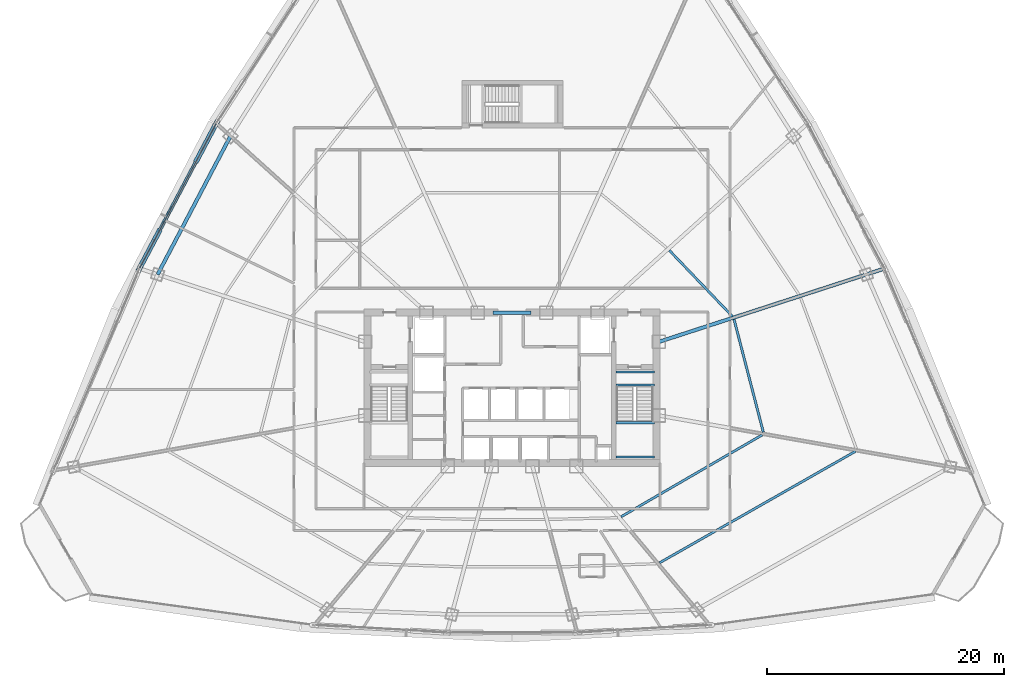
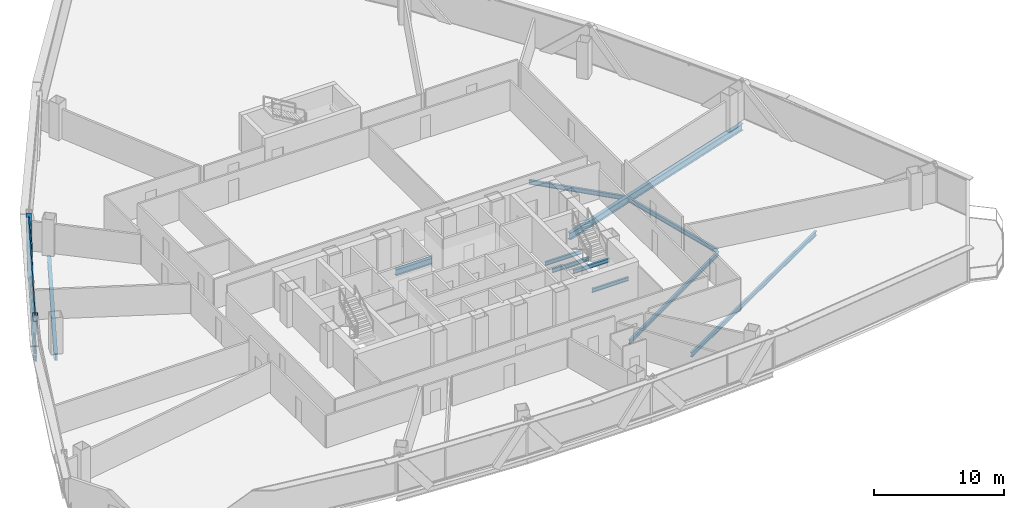
# One storey, part 15 of 39: 12 beams, 4 members, 1 element without a shape of its own.
"""IFC4 building model written with IfcOpenShell, lengths in metres."""

import ifcopenshell
import ifcopenshell.guid

model = None  # the IFC model being written
_history = None  # IfcOwnerHistory: only IFC2X3 demands one
_inside = {}  # id of a spatial element -> (the spatial element, [elements in it])
_under = {}  # id of a project, library or spatial element -> (it, [spatial elements below it])
_declared = {}  # id of a project -> (the project, [libraries it declares])
_typed = {}  # id of a type object -> (the type object, [elements of that type])
_made_of = {}  # id of a material, layer set ... -> (it, [elements and type objects made of it])


def new_model(schema):
    """Start an empty IFC model of exactly this schema.

    Asked for "IFC4X3", IfcOpenShell would pick the latest addendum, in which some entities
    have other attributes; the version numbers below select the first issue.
    IFC2X3 requires an IfcOwnerHistory on every rooted entity: one is made here for all.
    """
    global model, _history
    if schema == "IFC4X3":
        model = ifcopenshell.file(schema_version=(4, 3, 0, 0))
    else:
        model = ifcopenshell.file(schema=schema)
    _inside.clear()
    _under.clear()
    _declared.clear()
    _typed.clear()
    _made_of.clear()
    _history = None
    if model.schema == "IFC2X3":
        org = make("IfcOrganization", Name="unknown")
        user = make(
            "IfcPersonAndOrganization",
            ThePerson=make("IfcPerson", FamilyName="unknown"),
            TheOrganization=org,
        )
        app = make(
            "IfcApplication",
            ApplicationDeveloper=org,
            Version="unknown",
            ApplicationFullName="unknown",
            ApplicationIdentifier="unknown",
        )
        _history = make(
            "IfcOwnerHistory",
            OwningUser=user,
            OwningApplication=app,
            ChangeAction="ADDED",
            CreationDate=0,
        )
    return model


def make(cls, **values):
    """One entity of the class cls with the attributes given. An attribute that is None is left unset."""
    return model.create_entity(
        cls, **{name: value for name, value in values.items() if value is not None}
    )


def rooted(cls, **values):
    """An entity with a GlobalId (a new one), such as an element, a storey or a relation."""
    return make(cls, GlobalId=ifcopenshell.guid.new(), OwnerHistory=_history, **values)


def si_unit(unit_type, name, prefix=None):
    """IfcSIUnit, for example si_unit("LENGTHUNIT", "METRE", prefix="MILLI")."""
    return make("IfcSIUnit", UnitType=unit_type, Prefix=prefix, Name=name)


def assignment(units):
    """IfcUnitAssignment: the units of a project."""
    return None if units is None else make("IfcUnitAssignment", Units=units)


def point(xyz):
    """IfcCartesianPoint."""
    return None if xyz is None else make("IfcCartesianPoint", Coordinates=xyz)


def direction(xyz):
    """IfcDirection."""
    return None if xyz is None else make("IfcDirection", DirectionRatios=xyz)


def frame(location, z_axis=None, x_axis=None):
    """IfcAxis2Placement3D, a coordinate frame: its origin and axes. An axis left out is left unset."""
    return make(
        "IfcAxis2Placement3D",
        Location=point(location),
        Axis=direction(z_axis),
        RefDirection=direction(x_axis),
    )


def frame_2d(location, x_axis=None):
    """IfcAxis2Placement2D, a coordinate frame in the plane: its origin and x axis."""
    return make(
        "IfcAxis2Placement2D", Location=point(location), RefDirection=direction(x_axis)
    )


def origin():
    """The frame at (0, 0, 0) with its axes left unset."""
    return frame((0.0, 0.0, 0.0))


def origin_2d():
    """The frame at (0, 0) in the plane with its x axis left unset."""
    return frame_2d((0.0, 0.0))


def place(relative_to, where):
    """IfcLocalPlacement: puts the frame where relative to a parent placement (None: the world)."""
    return make(
        "IfcLocalPlacement", PlacementRelTo=relative_to, RelativePlacement=where
    )


def context(
    kind, dimensions, precision=None, world=None, true_north=None, identifier=None
):
    """IfcGeometricRepresentationContext, for example the 3D "Model" context."""
    return make(
        "IfcGeometricRepresentationContext",
        ContextIdentifier=identifier,
        ContextType=kind,
        CoordinateSpaceDimension=dimensions,
        Precision=precision,
        WorldCoordinateSystem=world,
        TrueNorth=true_north,
    )


def subcontext(parent, identifier, kind, view, scale=None):
    """IfcGeometricRepresentationSubContext, for example "Body" below "Model"."""
    return make(
        "IfcGeometricRepresentationSubContext",
        ContextIdentifier=identifier,
        ContextType=kind,
        ParentContext=parent,
        TargetScale=scale,
        TargetView=view,
    )


def project(units=None, contexts=None):
    """IfcProject with its units and contexts."""
    return rooted(
        "IfcProject",
        Name="project",
        RepresentationContexts=contexts,
        UnitsInContext=assignment(units),
    )


def spatial(cls, under=None, at=None, **own):
    """A site, building, storey or space (cls), placed at a placement, below another one or the project."""
    s = rooted(cls, ObjectPlacement=at, **own)
    if under is not None:
        _under.setdefault(under.id(), (under, []))[1].append(s)
    return s


def profile(cls, at=None, kind="AREA", **sizes):
    """A parametric profile (cls). Its sizes go by their IFC names, for example OverallWidth=200.0."""
    return make(cls, ProfileType=kind, Position=at, **sizes)


def hollow_rectangle(**sizes):
    """IfcRectangleHollowProfileDef."""
    return profile("IfcRectangleHollowProfileDef", **sizes)


def i_section(**sizes):
    """IfcIShapeProfileDef."""
    return profile("IfcIShapeProfileDef", **sizes)


def extrude(swept, where, along, depth):
    """IfcExtrudedAreaSolid: the profile swept, set in the frame where, extruded along a direction by depth."""
    return make(
        "IfcExtrudedAreaSolid",
        SweptArea=swept,
        Position=where,
        ExtrudedDirection=direction(along),
        Depth=depth,
    )


def shape(context_of_items, identifier, shape_type, items):
    """IfcShapeRepresentation: the items that make up one representation, for example the "Body"."""
    return make(
        "IfcShapeRepresentation",
        ContextOfItems=context_of_items,
        RepresentationIdentifier=identifier,
        RepresentationType=shape_type,
        Items=items,
    )


def source(mapping_origin, context_of_items, identifier, shape_type, items):
    """IfcRepresentationMap: a shape defined once, which mapped items show again and again."""
    return make(
        "IfcRepresentationMap",
        MappingOrigin=mapping_origin,
        MappedRepresentation=shape(context_of_items, identifier, shape_type, items),
    )


def transform(
    local_origin,
    x_axis=None,
    y_axis=None,
    z_axis=None,
    scale=None,
    scale2=None,
    scale3=None,
    uniform=True,
):
    """IfcCartesianTransformationOperator3D, or its non-uniform kind. x_axis, y_axis, z_axis: its Axis1, 2, 3."""
    if uniform:
        return make(
            "IfcCartesianTransformationOperator3D",
            Axis1=direction(x_axis),
            Axis2=direction(y_axis),
            LocalOrigin=point(local_origin),
            Scale=scale,
            Axis3=direction(z_axis),
        )
    return make(
        "IfcCartesianTransformationOperator3DnonUniform",
        Axis1=direction(x_axis),
        Axis2=direction(y_axis),
        LocalOrigin=point(local_origin),
        Scale=scale,
        Axis3=direction(z_axis),
        Scale2=scale2,
        Scale3=scale3,
    )


def mapped(mapping_source, mapping_target):
    """IfcMappedItem: shows the shape of a source again, moved by a transform."""
    return make(
        "IfcMappedItem", MappingSource=mapping_source, MappingTarget=mapping_target
    )


def material(Name=None, Category=None):
    """IfcMaterial."""
    return make("IfcMaterial", Name=Name, Category=Category)


def layer(
    of_material, thickness, ventilated=None, Name=None, Category=None, Priority=None
):
    """IfcMaterialLayer: one layer of a wall or slab, of a material (None: an air gap)."""
    return make(
        "IfcMaterialLayer",
        Material=of_material,
        LayerThickness=thickness,
        IsVentilated=ventilated,
        Name=Name,
        Category=Category,
        Priority=Priority,
    )


def layer_set(layers, Name=None):
    """IfcMaterialLayerSet."""
    return make("IfcMaterialLayerSet", MaterialLayers=layers, LayerSetName=Name)


def material_profile(
    of_material, cross_section, Name=None, Category=None, Priority=None
):
    """IfcMaterialProfile: a cross section and its material."""
    return make(
        "IfcMaterialProfile",
        Name=Name,
        Material=of_material,
        Profile=cross_section,
        Priority=Priority,
        Category=Category,
    )


def profile_set(profiles, Name=None, composite=None):
    """IfcMaterialProfileSet."""
    return make(
        "IfcMaterialProfileSet",
        Name=Name,
        MaterialProfiles=profiles,
        CompositeProfile=composite,
    )


def made_of(thing, what):
    """Note that an element or type object is made of a material, layer set ...; save() writes the relation."""
    if what is not None:
        _made_of.setdefault(what.id(), (what, []))[1].append(thing)
    return thing


def type_object(cls, material=None, **own):
    """A type object (cls), such as IfcWallType, which elements share."""
    return made_of(rooted(cls, **own), material)


def element(
    cls,
    number,
    at=None,
    inside=None,
    cuts=None,
    type_object=None,
    material=None,
    context=None,
    identifier="Body",
    shape_type=None,
    held_by="IfcProductDefinitionShape",
    body=None,
    shapes=None,
    **own,
):
    """One element of the class cls, such as IfcWall. Its Tag is "e" and its number.

    at: its placement. inside: the storey or other place that contains it. cuts: it is an
    opening in that element (IfcRelVoidsElement). A single representation is given by context,
    identifier, shape_type and body (its items); several are given by shapes. held_by: the class
    of the entity that holds the representations. save() writes the other relations.
    """
    e = rooted(cls, Tag="e%d" % number, ObjectPlacement=at, **own)
    if body is not None:
        shapes = [shape(context, identifier, shape_type, body)]
    if shapes is not None:
        e.Representation = make(held_by, Representations=shapes)
    if inside is not None:
        _inside.setdefault(inside.id(), (inside, []))[1].append(e)
    if cuts is not None:
        rooted(
            "IfcRelVoidsElement", RelatingBuildingElement=cuts, RelatedOpeningElement=e
        )
    if type_object is not None:
        _typed.setdefault(type_object.id(), (type_object, []))[1].append(e)
    return made_of(e, material)


def aggregate(whole, parts):
    """IfcRelAggregates: a whole, such as a stair, and the parts it consists of."""
    return rooted("IfcRelAggregates", RelatingObject=whole, RelatedObjects=parts)


def save(model, path):
    """Write the relations noted so far, then the file.

    IfcRelAggregates (storeys below a building ...), IfcRelContainedInSpatialStructure (elements
    in a storey), IfcRelDefinesByType, IfcRelAssociatesMaterial and IfcRelDeclares: one each for
    every whole, place, type object, material and project.
    """
    for whole, parts in _under.values():
        aggregate(whole, parts)
    for where, things in _inside.values():
        rooted(
            "IfcRelContainedInSpatialStructure",
            RelatedElements=things,
            RelatingStructure=where,
        )
    for kind, things in _typed.values():
        rooted("IfcRelDefinesByType", RelatedObjects=things, RelatingType=kind)
    for what, things in _made_of.values():
        rooted("IfcRelAssociatesMaterial", RelatedObjects=things, RelatingMaterial=what)
    for by, libraries in _declared.values():
        rooted("IfcRelDeclares", RelatingContext=by, RelatedDefinitions=libraries)
    model.write(path)


model = new_model("IFC4")

# Units and contexts
model_context = context("Model", 3, precision=1e-05, world=origin(), true_north=direction((0.0, 1.0)))
body_context = subcontext(model_context, "Body", "Model", "MODEL_VIEW")
ifc_project = project(units=[si_unit("LENGTHUNIT", "METRE"), si_unit("AREAUNIT", "SQUARE_METRE"), si_unit("VOLUMEUNIT", "CUBIC_METRE"), si_unit("PLANEANGLEUNIT", "RADIAN"), si_unit("MASSUNIT", "GRAM", prefix="KILO"), si_unit("THERMODYNAMICTEMPERATUREUNIT", "KELVIN"), si_unit("POWERUNIT", "WATT")], contexts=[model_context])

# Site, building, storey
site_placement = place(None, origin())
site = spatial("IfcSite", under=ifc_project, at=site_placement, CompositionType="ELEMENT")
building_placement = place(site_placement, origin())
building = spatial("IfcBuilding", under=site, at=building_placement, Name="Yunzhuo Pagoda Commons", CompositionType="ELEMENT")
storey_placement = place(building_placement, frame((0.0, 0.0, 140.8701171875)))
storey = spatial("IfcBuildingStorey", under=building, at=storey_placement, Name="L35", CompositionType="ELEMENT", Elevation=140.8701171875)

# Beams
ifc_material_1 = material(Name="Structural steel Q355B", Category="steel")
ifc_material_profile_1 = material_profile(ifc_material_1, i_section(OverallWidth=0.175048828125, OverallDepth=0.35009765625, WebThickness=0.007080078125, FlangeThickness=0.010986328125, at=origin_2d()), Name="Structural steel Q355B")
ifc_profile_set_1 = profile_set([ifc_material_profile_1], Name="Structural steel Q355B")
beam_type_1 = type_object("IfcBeamType", Name="B-JS2 Joist HN 350x175x7x11", PredefinedType="JOIST", material=ifc_profile_set_1)
shared_shape_1 = source(origin(), body_context, "Body", "SweptSolid", [
    extrude(i_section(OverallWidth=0.175048828125, OverallDepth=0.35009765625, WebThickness=0.007080078125, FlangeThickness=0.010986328125, at=origin_2d()), origin(), (0.0, 0.0, 1.0), 3.25),
])
for number, where, z_axis, x_axis, name in (
    (1, (56.800048828125, 28.0, 1.46484375), (1.0, 0.0, 0.0), (0.0, 1.0, 0.0), "L35 ST2 landing support beam 41A"),
    (2, (56.800048828125, 30.89990234375, 1.46484375), (1.0, 0.0, 0.0), (0.0, 1.0, 0.0), "L35 ST2 landing support beam 41B"),
    (3, (56.800048828125, 34.10009765625, -0.375), (1.0, 0.0, 0.0), (0.0, 1.0, 0.0), "L35 ST2 landing support beam 139A"),
    (4, (56.800048828125, 35.199951171875, -0.375), (1.0, 0.0, 0.0), (0.0, 1.0, 0.0), "L35 ST2 landing support beam 139B"),
):
    element("IfcBeam", number, at=place(storey_placement, frame(where, z_axis=z_axis, x_axis=x_axis)), inside=storey, type_object=beam_type_1, Name=name, PredefinedType="JOIST", context=body_context, shape_type="MappedRepresentation", body=[
        mapped(shared_shape_1, transform((0.0, 0.0, 0.0), scale=1.0)),
    ])
ifc_material_2 = material(Name="Structural steel Q420B", Category="steel")
ifc_material_profile_2 = material_profile(ifc_material_2, i_section(OverallWidth=0.300048828125, OverallDepth=0.587890625, WebThickness=0.011962890625, FlangeThickness=0.02001953125, at=origin_2d()), Name="Structural steel Q420B")
ifc_profile_set_2 = profile_set([ifc_material_profile_2], Name="Structural steel Q420B")
beam_type_2 = type_object("IfcBeamType", Name="B-CPL Beam HM 588x300x12x20", PredefinedType="BEAM", material=ifc_profile_set_2)
shared_shape_2 = source(origin(), body_context, "Body", "SweptSolid", [
    extrude(i_section(OverallWidth=0.300048828125, OverallDepth=0.587890625, WebThickness=0.011962890625, FlangeThickness=0.02001953125, at=origin_2d()), origin(), (0.0, 0.0, 1.0), 3.2001953125),
])
beam_1_placement = place(storey_placement, frame((46.39990234375, 40.199951171875, -0.55419921875), z_axis=(1.0, 0.0, 0.0), x_axis=(0.0, 1.0, 0.0)))
element("IfcBeam", 5, at=beam_1_placement, inside=storey, type_object=beam_type_2, Name="L35 core coupling girder", PredefinedType="BEAM", context=body_context, shape_type="MappedRepresentation", body=[
    mapped(shared_shape_2, transform((0.0, 0.0, 0.0), scale=1.0)),
])
ifc_material_profile_3 = material_profile(ifc_material_1, i_section(OverallWidth=0.199951171875, OverallDepth=0.39990234375, WebThickness=0.008056640625, FlangeThickness=0.012939453125, at=origin_2d()), Name="Structural steel Q355B")
ifc_profile_set_3 = profile_set([ifc_material_profile_3], Name="Structural steel Q355B")
beam_type_3 = type_object("IfcBeamType", Name="B-JS1 Joist HN 400x200x8x13", PredefinedType="JOIST", material=ifc_profile_set_3)
shared_shape_3 = source(origin(), body_context, "Body", "SweptSolid", [
    extrude(i_section(OverallWidth=0.199951171875, OverallDepth=0.39990234375, WebThickness=0.008056640625, FlangeThickness=0.012939453125, at=origin_2d()), origin(), (0.0, 0.0, 1.0), 13.76416015625),
])
beam_2_placement = place(storey_placement, frame((57.2119140625, 22.96533203125, -0.460205078125), z_axis=(0.864967288101, 0.501828248025, 0.0), x_axis=(-0.501828248025, 0.864967288101, 0.0)))
element("IfcBeam", 6, at=beam_2_placement, inside=storey, type_object=beam_type_3, Name="L35 composite ring joist 1.4", PredefinedType="JOIST", context=body_context, shape_type="MappedRepresentation", body=[
    mapped(shared_shape_3, transform((0.0, 0.0, 0.0), scale=1.0)),
])
shared_shape_4 = source(origin(), body_context, "Body", "SweptSolid", [
    extrude(i_section(OverallWidth=0.199951171875, OverallDepth=0.39990234375, WebThickness=0.008056640625, FlangeThickness=0.012939453125, at=origin_2d()), origin(), (0.0, 0.0, 1.0), 19.007568359375),
])
beam_3_placement = place(storey_placement, frame((60.468017578125, 19.08447265625, -0.460205078125), z_axis=(0.869119947472, 0.494601371718, 0.0), x_axis=(-0.494601371718, 0.869119947472, 0.0)))
element("IfcBeam", 7, at=beam_3_placement, inside=storey, type_object=beam_type_3, Name="L35 composite ring joist 2.4", PredefinedType="JOIST", context=body_context, shape_type="MappedRepresentation", body=[
    mapped(shared_shape_4, transform((0.0, 0.0, 0.0), scale=1.0)),
])
shared_shape_5 = source(origin(), body_context, "Body", "SweptSolid", [
    extrude(i_section(OverallWidth=0.199951171875, OverallDepth=0.39990234375, WebThickness=0.008056640625, FlangeThickness=0.012939453125, at=origin_2d()), origin(), (0.0, 0.0, 1.0), 9.8330078125),
])
beam_4_placement = place(storey_placement, frame((69.215087890625, 30.10595703125, -0.460205078125), z_axis=(-0.251166367041, 0.967943932295, 0.0), x_axis=(-0.967943932295, -0.251166367041, 0.0)))
element("IfcBeam", 8, at=beam_4_placement, inside=storey, type_object=beam_type_3, Name="L35 composite ring joist 1.5", PredefinedType="JOIST", context=body_context, shape_type="MappedRepresentation", body=[
    mapped(shared_shape_5, transform((0.0, 0.0, 0.0), scale=1.0)),
])
ifc_material_profile_4 = material_profile(ifc_material_1, i_section(OverallWidth=0.300048828125, OverallDepth=0.64990234375, WebThickness=0.012939453125, FlangeThickness=0.02197265625, at=origin_2d()), Name="Structural steel Q355B")
ifc_profile_set_4 = profile_set([ifc_material_profile_4], Name="Structural steel Q355B")
beam_type_4 = type_object("IfcBeamType", Name="B-RG2 Beam HN 650x300x13x22", PredefinedType="BEAM", material=ifc_profile_set_4)
shared_shape_6 = source(origin(), body_context, "Body", "SweptSolid", [
    extrude(i_section(OverallWidth=0.300048828125, OverallDepth=0.64990234375, WebThickness=0.012939453125, FlangeThickness=0.02197265625, at=origin_2d()), origin(), (0.0, 0.0, 1.0), 13.198974609375),
])
beam_5_placement = place(storey_placement, frame((24.23388671875, 55.09912109375, -0.585205078125), z_axis=(-0.465885937554, -0.884844784801, 0.0), x_axis=(0.884844784801, -0.465885937554, 0.0)))
element("IfcBeam", 9, at=beam_5_placement, inside=storey, type_object=beam_type_4, Name="L35 column-ring beam 10", PredefinedType="BEAM", context=body_context, shape_type="MappedRepresentation", body=[
    mapped(shared_shape_6, transform((0.0, 0.0, 0.0), scale=1.0)),
])
shared_shape_7 = source(origin(), body_context, "Body", "SweptSolid", [
    extrude(i_section(OverallWidth=0.199951171875, OverallDepth=0.39990234375, WebThickness=0.008056640625, FlangeThickness=0.012939453125, at=origin_2d()), origin(), (0.0, 0.0, 1.0), 7.685546875),
])
beam_6_placement = place(storey_placement, frame((66.595703125, 39.892578125, -0.460205078125), z_axis=(-0.690882862648, 0.722966714378, 0.0), x_axis=(-0.722966714378, -0.690882862648, 0.0)))
element("IfcBeam", 10, at=beam_6_placement, inside=storey, type_object=beam_type_3, Name="L35 composite ring joist 1.6", PredefinedType="JOIST", context=body_context, shape_type="MappedRepresentation", body=[
    mapped(shared_shape_7, transform((0.0, 0.0, 0.0), scale=1.0)),
])
shared_shape_8 = source(origin(), body_context, "Body", "SweptSolid", [
    extrude(i_section(OverallWidth=0.300048828125, OverallDepth=0.64990234375, WebThickness=0.012939453125, FlangeThickness=0.02197265625, at=origin_2d()), origin(), (0.0, 0.0, 1.0), 19.877197265625),
])
beam_7_placement = place(storey_placement, frame((79.30419921875, 43.871337890625, -0.585205078125), z_axis=(-0.951057172971, -0.309014973328, 0.0), x_axis=(0.309014973328, -0.951057172971, 0.0)))
element("IfcBeam", 11, at=beam_7_placement, inside=storey, type_object=beam_type_4, Name="L35 radial floor girder F2C2", PredefinedType="BEAM", context=body_context, shape_type="MappedRepresentation", body=[
    mapped(shared_shape_8, transform((0.0, 0.0, 0.0), scale=1.0)),
])
ifc_material_profile_5 = material_profile(ifc_material_1, i_section(OverallWidth=0.300048828125, OverallDepth=0.488037109375, WebThickness=0.010986328125, FlangeThickness=0.01806640625, at=origin_2d()), Name="Structural steel Q355B")
ifc_profile_set_5 = profile_set([ifc_material_profile_5], Name="Structural steel Q355B")
beam_type_5 = type_object("IfcBeamType", Name="B-SP1 Beam HM 488x300x11x18", PredefinedType="BEAM", material=ifc_profile_set_5)
shared_shape_9 = source(origin(), body_context, "Body", "SweptSolid", [
    extrude(i_section(OverallWidth=0.300048828125, OverallDepth=0.488037109375, WebThickness=0.010986328125, FlangeThickness=0.01806640625, at=origin_2d()), origin(), (0.0, 0.0, 1.0), 13.869384765625),
])
beam_8_placement = place(storey_placement, frame((23.035400390625, 56.17822265625, -0.504150390625), z_axis=(-0.467725147868, -0.883873965027, 0.0), x_axis=(0.883873965027, -0.467725147868, 0.0)))
element("IfcBeam", 12, at=beam_8_placement, inside=storey, type_object=beam_type_5, Name="L35 facade edge spandrel beam F3.2", PredefinedType="BEAM", context=body_context, shape_type="MappedRepresentation", body=[
    mapped(shared_shape_9, transform((0.0, 0.0, 0.0), scale=1.0)),
])

# Members
ifc_material_profile_6 = material_profile(ifc_material_2, hollow_rectangle(XDim=0.419921875, YDim=0.719970703125, WallThickness=0.028076171875, at=origin_2d()), Name="Structural steel Q420B")
ifc_profile_set_6 = profile_set([ifc_material_profile_6], Name="Structural steel Q420B")
member_type_1 = type_object("IfcMemberType", Name="M-DL1 Brace BOX 720x420x28", PredefinedType="BRACE", material=ifc_profile_set_6)
shared_shape_10 = source(origin(), body_context, "Body", "SweptSolid", [
    extrude(hollow_rectangle(XDim=0.419921875, YDim=0.719970703125, WallThickness=0.028076171875, at=origin_2d()), origin(), (0.0, 0.0, 1.0), 5.055908203125),
])
member_1_placement = place(storey_placement, frame((18.169921875, 46.98388671875, -0.260009765625), z_axis=(-0.320729550462, -0.606112212798, 0.727846509202), x_axis=(0.883880393409, -0.467712999763, 0.0)))
element("IfcMember", 13, at=member_1_placement, inside=storey, type_object=member_type_1, Name="L35 facade diamond brace F3.2R", PredefinedType="BRACE", context=body_context, shape_type="MappedRepresentation", body=[
    mapped(shared_shape_10, transform((0.0, 0.0, 0.0), scale=1.0)),
])
shared_shape_11 = source(origin(), body_context, "Body", "SweptSolid", [
    extrude(hollow_rectangle(XDim=0.419921875, YDim=0.719970703125, WallThickness=0.028076171875, at=origin_2d()), origin(), (0.0, 0.0, 1.0), 5.05615234375),
])
member_2_placement = place(storey_placement, frame((21.41357421875, 53.113525390625, -0.260009765625), z_axis=(0.320763482228, 0.606133372333, 0.727813934611), x_axis=(-0.883866687787, 0.467738899623, 0.0)))
element("IfcMember", 14, at=member_2_placement, inside=storey, type_object=member_type_1, Name="L35 facade diamond brace F3.2L", PredefinedType="BRACE", context=body_context, shape_type="MappedRepresentation", body=[
    mapped(shared_shape_11, transform((0.0, 0.0, 0.0), scale=1.0)),
])

# Curtain wall, members
ifc_material_3 = material(Name="Anodized aluminium 6063-T6", Category="aluminium")
ifc_layer = layer(ifc_material_3, 0.14990234375)
ifc_layer_set = layer_set([ifc_layer], Name="Anodized aluminium 6063-T6")
curtain_wall_type = type_object("IfcCurtainWallType", Name="CW-MID Mid-Zone Ribbon Curtain Wall", PredefinedType="NOTDEFINED", material=ifc_layer_set)
curtain_wall_placement = place(storey_placement, origin())
curtain_wall = element("IfcCurtainWall", 15, at=curtain_wall_placement, inside=storey, type_object=curtain_wall_type, Name="L35 curtain wall CW-L35-F3B3", PredefinedType="NOTDEFINED")
ifc_material_profile_7 = material_profile(ifc_material_3, hollow_rectangle(XDim=0.054931640625, YDim=0.1298828125, WallThickness=0.00341796875, at=origin_2d()), Name="Anodized aluminium 6063-T6")
ifc_profile_set_7 = profile_set([ifc_material_profile_7], Name="Anodized aluminium 6063-T6")
member_type_2 = type_object("IfcMemberType", Name="CW-MID-T Transom RHS 130x55x3.5", PredefinedType="USERDEFINED", material=ifc_profile_set_7)
shared_shape_12 = source(origin(), body_context, "Body", "SweptSolid", [
    extrude(hollow_rectangle(XDim=0.054931640625, YDim=0.1298828125, WallThickness=0.00341796875, at=origin_2d()), origin(), (0.0, 0.0, 1.0), 13.74951171875),
])
member_3_placement = place(storey_placement, frame((23.00732421875, 56.125244140625, 0.02734375), z_axis=(-0.467720466259, -0.883876442407, 0.0), x_axis=(0.883876442407, -0.467720466259, 0.0)))
member_3 = element("IfcMember", 16, at=member_3_placement, type_object=member_type_2, Name="CW transom 1.1", ObjectType="TRANSOM", PredefinedType="USERDEFINED", context=body_context, shape_type="MappedRepresentation", body=[
    mapped(shared_shape_12, transform((0.0, 0.0, 0.0), scale=1.0)),
])
member_4_placement = place(storey_placement, frame((23.00732421875, 56.125244140625, 3.392333984375), z_axis=(-0.467720466259, -0.883876442407, 0.0), x_axis=(0.883876442407, -0.467720466259, 0.0)))
member_4 = element("IfcMember", 17, at=member_4_placement, type_object=member_type_2, Name="CW transom 1.2", ObjectType="TRANSOM", PredefinedType="USERDEFINED", context=body_context, shape_type="MappedRepresentation", body=[
    mapped(shared_shape_12, transform((0.0, 0.0, 0.0), scale=1.0)),
])
aggregate(curtain_wall, [member_3, member_4])

save(model, "model.ifc")
